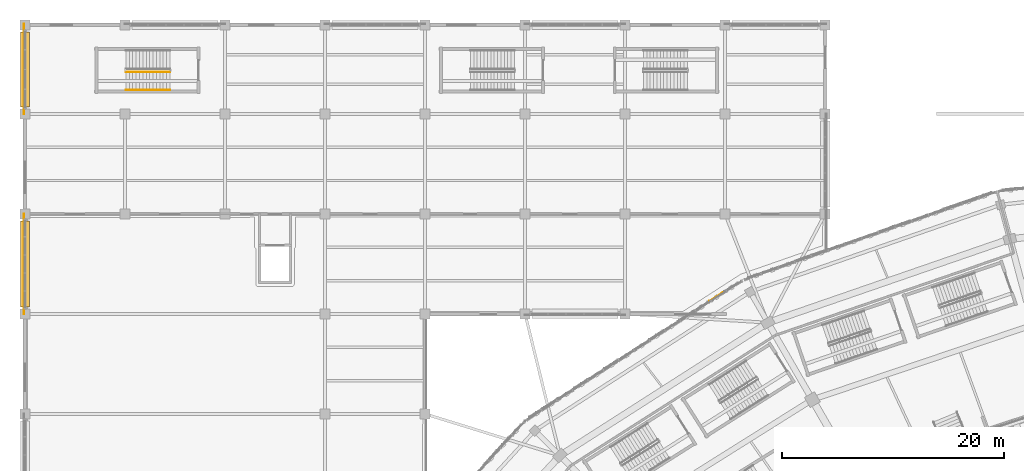
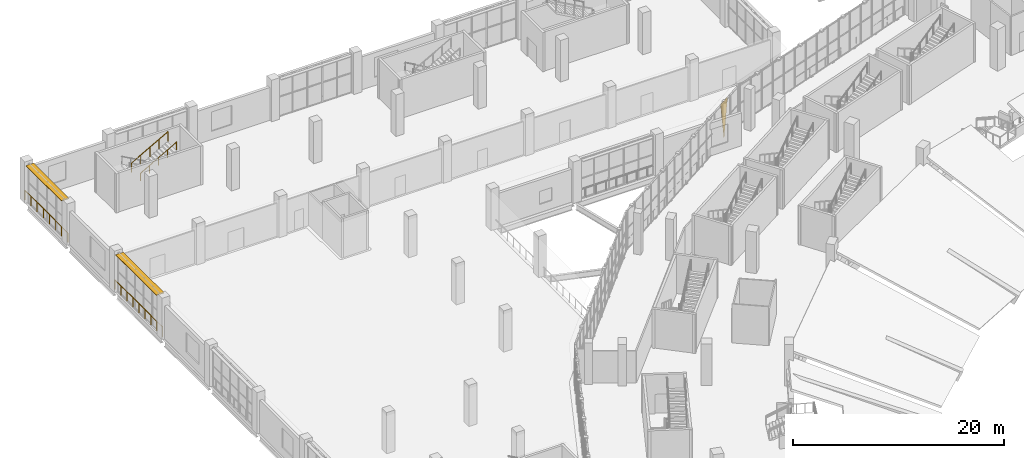
# One storey, part 162 of 183: 4 railings, 2 shading devices, 1 covering.
"""IFC4 building model written with IfcOpenShell, lengths in metres."""

import ifcopenshell
import ifcopenshell.guid

model = None  # the IFC model being written
_history = None  # IfcOwnerHistory: only IFC2X3 demands one
_inside = {}  # id of a spatial element -> (the spatial element, [elements in it])
_under = {}  # id of a project, library or spatial element -> (it, [spatial elements below it])
_declared = {}  # id of a project -> (the project, [libraries it declares])
_typed = {}  # id of a type object -> (the type object, [elements of that type])
_made_of = {}  # id of a material, layer set ... -> (it, [elements and type objects made of it])


def new_model(schema):
    """Start an empty IFC model of exactly this schema.

    Asked for "IFC4X3", IfcOpenShell would pick the latest addendum, in which some entities
    have other attributes; the version numbers below select the first issue.
    IFC2X3 requires an IfcOwnerHistory on every rooted entity: one is made here for all.
    """
    global model, _history
    if schema == "IFC4X3":
        model = ifcopenshell.file(schema_version=(4, 3, 0, 0))
    else:
        model = ifcopenshell.file(schema=schema)
    _inside.clear()
    _under.clear()
    _declared.clear()
    _typed.clear()
    _made_of.clear()
    _history = None
    if model.schema == "IFC2X3":
        org = make("IfcOrganization", Name="unknown")
        user = make(
            "IfcPersonAndOrganization",
            ThePerson=make("IfcPerson", FamilyName="unknown"),
            TheOrganization=org,
        )
        app = make(
            "IfcApplication",
            ApplicationDeveloper=org,
            Version="unknown",
            ApplicationFullName="unknown",
            ApplicationIdentifier="unknown",
        )
        _history = make(
            "IfcOwnerHistory",
            OwningUser=user,
            OwningApplication=app,
            ChangeAction="ADDED",
            CreationDate=0,
        )
    return model


def make(cls, **values):
    """One entity of the class cls with the attributes given. An attribute that is None is left unset."""
    return model.create_entity(
        cls, **{name: value for name, value in values.items() if value is not None}
    )


def rooted(cls, **values):
    """An entity with a GlobalId (a new one), such as an element, a storey or a relation."""
    return make(cls, GlobalId=ifcopenshell.guid.new(), OwnerHistory=_history, **values)


def si_unit(unit_type, name, prefix=None):
    """IfcSIUnit, for example si_unit("LENGTHUNIT", "METRE", prefix="MILLI")."""
    return make("IfcSIUnit", UnitType=unit_type, Prefix=prefix, Name=name)


def assignment(units):
    """IfcUnitAssignment: the units of a project."""
    return None if units is None else make("IfcUnitAssignment", Units=units)


def point(xyz):
    """IfcCartesianPoint."""
    return None if xyz is None else make("IfcCartesianPoint", Coordinates=xyz)


def direction(xyz):
    """IfcDirection."""
    return None if xyz is None else make("IfcDirection", DirectionRatios=xyz)


def frame(location, z_axis=None, x_axis=None):
    """IfcAxis2Placement3D, a coordinate frame: its origin and axes. An axis left out is left unset."""
    return make(
        "IfcAxis2Placement3D",
        Location=point(location),
        Axis=direction(z_axis),
        RefDirection=direction(x_axis),
    )


def frame_2d(location, x_axis=None):
    """IfcAxis2Placement2D, a coordinate frame in the plane: its origin and x axis."""
    return make(
        "IfcAxis2Placement2D", Location=point(location), RefDirection=direction(x_axis)
    )


def origin():
    """The frame at (0, 0, 0) with its axes left unset."""
    return frame((0.0, 0.0, 0.0))


def origin_2d():
    """The frame at (0, 0) in the plane with its x axis left unset."""
    return frame_2d((0.0, 0.0))


def place(relative_to, where):
    """IfcLocalPlacement: puts the frame where relative to a parent placement (None: the world)."""
    return make(
        "IfcLocalPlacement", PlacementRelTo=relative_to, RelativePlacement=where
    )


def context(
    kind, dimensions, precision=None, world=None, true_north=None, identifier=None
):
    """IfcGeometricRepresentationContext, for example the 3D "Model" context."""
    return make(
        "IfcGeometricRepresentationContext",
        ContextIdentifier=identifier,
        ContextType=kind,
        CoordinateSpaceDimension=dimensions,
        Precision=precision,
        WorldCoordinateSystem=world,
        TrueNorth=true_north,
    )


def subcontext(parent, identifier, kind, view, scale=None):
    """IfcGeometricRepresentationSubContext, for example "Body" below "Model"."""
    return make(
        "IfcGeometricRepresentationSubContext",
        ContextIdentifier=identifier,
        ContextType=kind,
        ParentContext=parent,
        TargetScale=scale,
        TargetView=view,
    )


def project(units=None, contexts=None):
    """IfcProject with its units and contexts."""
    return rooted(
        "IfcProject",
        Name="project",
        RepresentationContexts=contexts,
        UnitsInContext=assignment(units),
    )


def spatial(cls, under=None, at=None, **own):
    """A site, building, storey or space (cls), placed at a placement, below another one or the project."""
    s = rooted(cls, ObjectPlacement=at, **own)
    if under is not None:
        _under.setdefault(under.id(), (under, []))[1].append(s)
    return s


def polyline(points):
    """IfcPolyline through the points."""
    return make("IfcPolyline", Points=[point(p) for p in points])


def profile(cls, at=None, kind="AREA", **sizes):
    """A parametric profile (cls). Its sizes go by their IFC names, for example OverallWidth=200.0."""
    return make(cls, ProfileType=kind, Position=at, **sizes)


def rectangle(**sizes):
    """IfcRectangleProfileDef."""
    return profile("IfcRectangleProfileDef", **sizes)


def circle(**sizes):
    """IfcCircleProfileDef."""
    return profile("IfcCircleProfileDef", **sizes)


def outline(outer, holes=None, kind="AREA"):
    """IfcArbitraryClosedProfileDef: a profile drawn as a closed curve; with holes, ...WithVoids."""
    if holes is None:
        return make("IfcArbitraryClosedProfileDef", ProfileType=kind, OuterCurve=outer)
    return make(
        "IfcArbitraryProfileDefWithVoids",
        ProfileType=kind,
        OuterCurve=outer,
        InnerCurves=holes,
    )


def extrude(swept, where, along, depth):
    """IfcExtrudedAreaSolid: the profile swept, set in the frame where, extruded along a direction by depth."""
    return make(
        "IfcExtrudedAreaSolid",
        SweptArea=swept,
        Position=where,
        ExtrudedDirection=direction(along),
        Depth=depth,
    )


def shape(context_of_items, identifier, shape_type, items):
    """IfcShapeRepresentation: the items that make up one representation, for example the "Body"."""
    return make(
        "IfcShapeRepresentation",
        ContextOfItems=context_of_items,
        RepresentationIdentifier=identifier,
        RepresentationType=shape_type,
        Items=items,
    )


def material(Name=None, Category=None):
    """IfcMaterial."""
    return make("IfcMaterial", Name=Name, Category=Category)


def layer(
    of_material, thickness, ventilated=None, Name=None, Category=None, Priority=None
):
    """IfcMaterialLayer: one layer of a wall or slab, of a material (None: an air gap)."""
    return make(
        "IfcMaterialLayer",
        Material=of_material,
        LayerThickness=thickness,
        IsVentilated=ventilated,
        Name=Name,
        Category=Category,
        Priority=Priority,
    )


def layer_set(layers, Name=None):
    """IfcMaterialLayerSet."""
    return make("IfcMaterialLayerSet", MaterialLayers=layers, LayerSetName=Name)


def made_of(thing, what):
    """Note that an element or type object is made of a material, layer set ...; save() writes the relation."""
    if what is not None:
        _made_of.setdefault(what.id(), (what, []))[1].append(thing)
    return thing


def type_object(cls, material=None, **own):
    """A type object (cls), such as IfcWallType, which elements share."""
    return made_of(rooted(cls, **own), material)


def element(
    cls,
    number,
    at=None,
    inside=None,
    cuts=None,
    type_object=None,
    material=None,
    context=None,
    identifier="Body",
    shape_type=None,
    held_by="IfcProductDefinitionShape",
    body=None,
    shapes=None,
    **own,
):
    """One element of the class cls, such as IfcWall. Its Tag is "e" and its number.

    at: its placement. inside: the storey or other place that contains it. cuts: it is an
    opening in that element (IfcRelVoidsElement). A single representation is given by context,
    identifier, shape_type and body (its items); several are given by shapes. held_by: the class
    of the entity that holds the representations. save() writes the other relations.
    """
    e = rooted(cls, Tag="e%d" % number, ObjectPlacement=at, **own)
    if body is not None:
        shapes = [shape(context, identifier, shape_type, body)]
    if shapes is not None:
        e.Representation = make(held_by, Representations=shapes)
    if inside is not None:
        _inside.setdefault(inside.id(), (inside, []))[1].append(e)
    if cuts is not None:
        rooted(
            "IfcRelVoidsElement", RelatingBuildingElement=cuts, RelatedOpeningElement=e
        )
    if type_object is not None:
        _typed.setdefault(type_object.id(), (type_object, []))[1].append(e)
    return made_of(e, material)


def aggregate(whole, parts):
    """IfcRelAggregates: a whole, such as a stair, and the parts it consists of."""
    return rooted("IfcRelAggregates", RelatingObject=whole, RelatedObjects=parts)


def save(model, path):
    """Write the relations noted so far, then the file.

    IfcRelAggregates (storeys below a building ...), IfcRelContainedInSpatialStructure (elements
    in a storey), IfcRelDefinesByType, IfcRelAssociatesMaterial and IfcRelDeclares: one each for
    every whole, place, type object, material and project.
    """
    for whole, parts in _under.values():
        aggregate(whole, parts)
    for where, things in _inside.values():
        rooted(
            "IfcRelContainedInSpatialStructure",
            RelatedElements=things,
            RelatingStructure=where,
        )
    for kind, things in _typed.values():
        rooted("IfcRelDefinesByType", RelatedObjects=things, RelatingType=kind)
    for what, things in _made_of.values():
        rooted("IfcRelAssociatesMaterial", RelatedObjects=things, RelatingMaterial=what)
    for by, libraries in _declared.values():
        rooted("IfcRelDeclares", RelatingContext=by, RelatedDefinitions=libraries)
    model.write(path)


model = new_model("IFC4")

# Units and contexts
model_context = context("Model", 3, precision=1e-05, world=origin(), true_north=direction((0.0, 1.0)))
body_context = subcontext(model_context, "Body", "Model", "MODEL_VIEW")
ifc_project = project(units=[si_unit("LENGTHUNIT", "METRE"), si_unit("AREAUNIT", "SQUARE_METRE"), si_unit("VOLUMEUNIT", "CUBIC_METRE"), si_unit("PLANEANGLEUNIT", "RADIAN"), si_unit("MASSUNIT", "GRAM", prefix="KILO")], contexts=[model_context])

# Site, building, storey
site_placement = place(None, origin())
site = spatial("IfcSite", under=ifc_project, at=site_placement, CompositionType="ELEMENT")
building_placement = place(site_placement, origin())
building = spatial("IfcBuilding", under=site, at=building_placement, Name="Zevraka Park Crest Stadium", CompositionType="ELEMENT")
storey_placement = place(building_placement, frame((0.0, 0.0, 5.39990234375)))
storey = spatial("IfcBuildingStorey", under=building, at=storey_placement, Name="L01", CompositionType="ELEMENT", Elevation=5.39990234375)

# Covering
ifc_material_1 = material(Name="Architectural golden-bronze perforated aluminium", Category="aluminium")
ifc_layer_1 = layer(ifc_material_1, 0.034912109375)
ifc_layer_set_1 = layer_set([ifc_layer_1], Name="Architectural golden-bronze perforated aluminium")
covering_type = type_object("IfcCoveringType", Name="CLD01", PredefinedType="CLADDING", material=ifc_layer_set_1)
covering_placement = place(storey_placement, frame((61.592041015625, 159.166015625, 4.5), z_axis=(-0.542515495778, 0.840045794148, 2.3960234e-05), x_axis=(0.840045794389, 0.542515495934, 0.0)))
element("IfcCovering", 1, at=covering_placement, inside=storey, type_object=covering_type, Name="Triangular Golden-Bronze Perforated Cladding L01-08-2", PredefinedType="CLADDING", context=body_context, shape_type="SweptSolid", body=[
    extrude(outline(polyline([(0.0, 0.0), (1.4450012077999677, 0.0), (0.7225668289361087, 4.279785157478496), (0.0, 0.0)])), origin(), (0.0, 0.0, -1.0), 0.034912109375),
])

# Railings
ifc_material_2 = material(Name="Galvanised and bronze-finished steel balustrade", Category="steel")
railing_type_1 = type_object("IfcRailingType", Name="GR01", PredefinedType="GUARDRAIL", material=ifc_material_2)
railing_1_placement = place(storey_placement, frame((-0.10498046875, 157.990966796875, 0.0)))
element("IfcRailing", 2, at=railing_1_placement, inside=storey, type_object=railing_type_1, Name="Deck Edge Protection Guardrail GR01 L01-53", PredefinedType="GUARDRAIL", context=body_context, shape_type="SweptSolid", body=[
    extrude(circle(Radius=0.02392578125, at=origin_2d()), frame((0.0, 0.0, 1.076171875), z_axis=(0.0, 1.0, 0.0), x_axis=(-1.0, 0.0, 0.0)), (0.0, 0.0, 1.0), 9.01806640625),
    extrude(circle(Radius=0.02099609375, at=origin_2d()), origin(), (0.0, 0.0, 1.0), 1.052001953125),
    extrude(circle(Radius=0.02099609375, at=origin_2d()), frame((0.0, 1.127197265625, 0.0)), (0.0, 0.0, 1.0), 1.052001953125),
    extrude(circle(Radius=0.02099609375, at=origin_2d()), frame((0.0, 2.25439453125, 0.0)), (0.0, 0.0, 1.0), 1.052001953125),
    extrude(circle(Radius=0.02099609375, at=origin_2d()), frame((0.0, 3.3818359375, 0.0)), (0.0, 0.0, 1.0), 1.052001953125),
    extrude(circle(Radius=0.02099609375, at=origin_2d()), frame((0.0, 4.509033203125, 0.0)), (0.0, 0.0, 1.0), 1.052001953125),
    extrude(circle(Radius=0.02099609375, at=origin_2d()), frame((0.0, 5.63623046875, 0.0)), (0.0, 0.0, 1.0), 1.052001953125),
    extrude(circle(Radius=0.02099609375, at=origin_2d()), frame((0.0, 6.763671875, 0.0)), (0.0, 0.0, 1.0), 1.052001953125),
    extrude(circle(Radius=0.02099609375, at=origin_2d()), frame((0.0, 7.890869140625, 0.0)), (0.0, 0.0, 1.0), 1.052001953125),
    extrude(circle(Radius=0.02099609375, at=origin_2d()), frame((0.0, 9.01806640625, 0.0)), (0.0, 0.0, 1.0), 1.052001953125),
])
railing_2_placement = place(storey_placement, frame((-0.10498046875, 175.990966796875, 0.0)))
element("IfcRailing", 3, at=railing_2_placement, inside=storey, type_object=railing_type_1, Name="Deck Edge Protection Guardrail GR01 L01-54", PredefinedType="GUARDRAIL", context=body_context, shape_type="SweptSolid", body=[
    extrude(circle(Radius=0.02392578125, at=origin_2d()), frame((0.0, 0.0, 1.076171875), z_axis=(0.0, 1.0, 0.0), x_axis=(-1.0, 0.0, 0.0)), (0.0, 0.0, 1.0), 8.114013671875),
    extrude(circle(Radius=0.02099609375, at=origin_2d()), origin(), (0.0, 0.0, 1.0), 1.052001953125),
    extrude(circle(Radius=0.02099609375, at=origin_2d()), frame((0.0, 1.1591796875, 0.0)), (0.0, 0.0, 1.0), 1.052001953125),
    extrude(circle(Radius=0.02099609375, at=origin_2d()), frame((0.0, 2.318359375, 0.0)), (0.0, 0.0, 1.0), 1.052001953125),
    extrude(circle(Radius=0.02099609375, at=origin_2d()), frame((0.0, 3.4775390625, 0.0)), (0.0, 0.0, 1.0), 1.052001953125),
    extrude(circle(Radius=0.02099609375, at=origin_2d()), frame((0.0, 4.636474609375, 0.0)), (0.0, 0.0, 1.0), 1.052001953125),
    extrude(circle(Radius=0.02099609375, at=origin_2d()), frame((0.0, 5.795654296875, 0.0)), (0.0, 0.0, 1.0), 1.052001953125),
    extrude(circle(Radius=0.02099609375, at=origin_2d()), frame((0.0, 6.954833984375, 0.0)), (0.0, 0.0, 1.0), 1.052001953125),
    extrude(circle(Radius=0.02099609375, at=origin_2d()), frame((0.0, 8.114013671875, 0.0)), (0.0, 0.0, 1.0), 1.052001953125),
])
ifc_material_3 = material(Name="Powder-coated tubular steel stairwell guard", Category="steel")
railing_type_2 = type_object("IfcRailingType", Name="GR03", PredefinedType="GUARDRAIL", material=ifc_material_3)
railing_3_placement = place(storey_placement, frame((9.0849609375, 179.7900390625, 2.571533203125)))
element("IfcRailing", 4, at=railing_3_placement, inside=storey, type_object=railing_type_2, Name="L01 ST47 stair guard 3", PredefinedType="GUARDRAIL", context=body_context, shape_type="SweptSolid", body=[
    extrude(circle(Radius=0.02392578125, at=origin_2d()), frame((0.0, 0.0, 1.076171875), z_axis=(0.871748933509, 0.0, 0.489952851738), x_axis=(0.0, 1.0, 0.0)), (0.0, 0.0, 1.0), 4.54833984375),
    extrude(circle(Radius=0.02099609375, at=origin_2d()), origin(), (0.0, 0.0, 1.0), 1.052001953125),
    extrude(circle(Radius=0.02099609375, at=origin_2d()), frame((0.9912109375, 0.0, 0.55712890625)), (0.0, 0.0, 1.0), 1.052001953125),
    extrude(circle(Radius=0.02099609375, at=origin_2d()), frame((1.982421875, 0.0, 1.1142578125)), (0.0, 0.0, 1.0), 1.052001953125),
    extrude(circle(Radius=0.02099609375, at=origin_2d()), frame((2.973876953125, 0.0, 1.67138671875)), (0.0, 0.0, 1.0), 1.052001953125),
    extrude(circle(Radius=0.02099609375, at=origin_2d()), frame((3.965087890625, 0.0, 2.228515625)), (0.0, 0.0, 1.0), 1.052001953125),
])
ifc_material_4 = material(Name="Brushed stainless steel continuous handrail", Category="steel")
railing_type_3 = type_object("IfcRailingType", Name="HR01", PredefinedType="HANDRAIL", material=ifc_material_4)
railing_4_placement = place(storey_placement, frame((9.0849609375, 178.139892578125, 2.571533203125)))
element("IfcRailing", 5, at=railing_4_placement, inside=storey, type_object=railing_type_3, Name="L01 ST47 stair handrail 2", PredefinedType="HANDRAIL", context=body_context, shape_type="SweptSolid", body=[
    extrude(circle(Radius=0.02392578125, at=origin_2d()), frame((0.0, 0.0, 0.8759765625), z_axis=(0.871748933509, 0.0, 0.489952851738), x_axis=(0.0, 1.0, 0.0)), (0.0, 0.0, 1.0), 4.54833984375),
    extrude(circle(Radius=0.02099609375, at=origin_2d()), origin(), (0.0, 0.0, 1.0), 0.851806640625),
    extrude(circle(Radius=0.02099609375, at=origin_2d()), frame((0.9912109375, 0.0, 0.55712890625)), (0.0, 0.0, 1.0), 0.851806640625),
    extrude(circle(Radius=0.02099609375, at=origin_2d()), frame((1.982421875, 0.0, 1.1142578125)), (0.0, 0.0, 1.0), 0.851806640625),
    extrude(circle(Radius=0.02099609375, at=origin_2d()), frame((2.973876953125, 0.0, 1.67138671875)), (0.0, 0.0, 1.0), 0.851806640625),
    extrude(circle(Radius=0.02099609375, at=origin_2d()), frame((3.965087890625, 0.0, 2.228515625)), (0.0, 0.0, 1.0), 0.851806640625),
])

# Shading devices
ifc_material_5 = material(Name="Architectural golden-bronze anodised bronze", Category="aluminium")
ifc_layer_2 = layer(ifc_material_5, 0.06005859375)
ifc_layer_set_2 = layer_set([ifc_layer_2], Name="Architectural golden-bronze anodised bronze")
shading_device_type = type_object("IfcShadingDeviceType", Name="SHD01", PredefinedType="USERDEFINED", material=ifc_layer_set_2)
shading_device_1_placement = place(storey_placement, frame((0.0, 162.5, 4.440185546875), z_axis=(0.0, 0.0, 1.0), x_axis=(0.0, 1.0, 0.0)))
element("IfcShadingDevice", 6, at=shading_device_1_placement, inside=storey, type_object=shading_device_type, Name="Wing Bronze Solar Screen SHD01 L01-NW-W-6", ObjectType="SOLAR SCREEN", PredefinedType="USERDEFINED", context=body_context, shape_type="SweptSolid", body=[
    extrude(rectangle(XDim=7.719970703125, YDim=0.85009765625, at=origin_2d()), origin(), (0.0, 0.0, 1.0), 0.06005859375),
])
shading_device_2_placement = place(storey_placement, frame((0.0, 180.0, 4.440185546875), z_axis=(0.0, 0.0, 1.0), x_axis=(0.0, 1.0, 0.0)))
element("IfcShadingDevice", 7, at=shading_device_2_placement, inside=storey, type_object=shading_device_type, Name="Wing Bronze Solar Screen SHD01 L01-NW-W-8", ObjectType="SOLAR SCREEN", PredefinedType="USERDEFINED", context=body_context, shape_type="SweptSolid", body=[
    extrude(rectangle(XDim=6.719970703125, YDim=0.85009765625, at=origin_2d()), origin(), (0.0, 0.0, 1.0), 0.06005859375),
])

save(model, "model.ifc")
